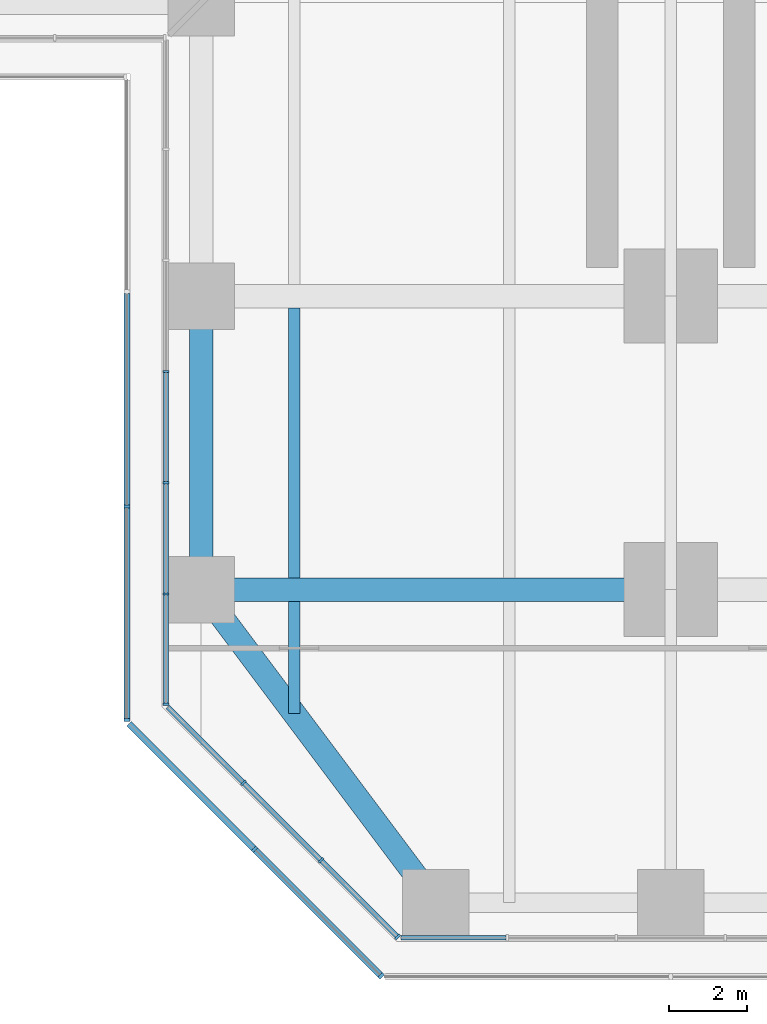
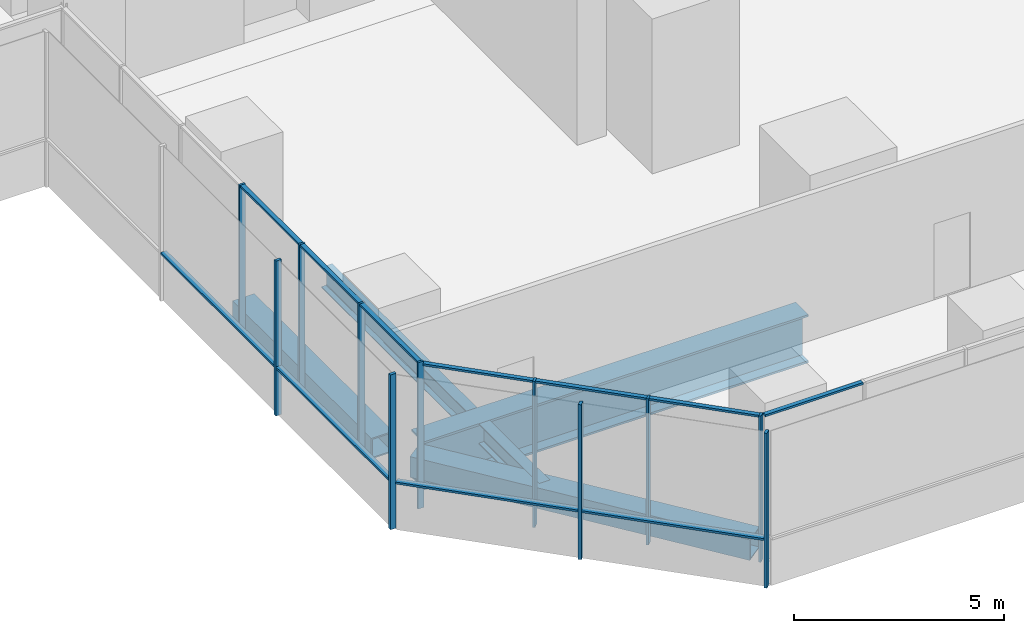
# One storey, part 2 of 21: 22 members, 5 beams, 5 elements without a shape of their own.
"""IFC4 building model written with IfcOpenShell, lengths in metres."""

from ifc_helpers import new_model, si_unit, direction, frame, origin, origin_2d, place, context, subcontext, project, spatial, rectangle, hollow_rectangle, i_section, extrude, material, material_profile, profile_set, type_object, element, aggregate, save


model = new_model("IFC4")

# Units and contexts
model_context = context("Model", 3, precision=1e-05, world=origin(), true_north=direction((0.0, 1.0)))
body_context = subcontext(model_context, "Body", "Model", "MODEL_VIEW")
ifc_project = project(units=[si_unit("LENGTHUNIT", "METRE"), si_unit("AREAUNIT", "SQUARE_METRE"), si_unit("VOLUMEUNIT", "CUBIC_METRE"), si_unit("PLANEANGLEUNIT", "RADIAN"), si_unit("MASSUNIT", "GRAM", prefix="KILO")], contexts=[model_context])

# Site, building, storey
site_placement = place(None, origin())
site = spatial("IfcSite", under=ifc_project, at=site_placement, CompositionType="ELEMENT")
building_placement = place(site_placement, origin())
building = spatial("IfcBuilding", under=site, at=building_placement, Name="Mizan Broadcast Tower", CompositionType="ELEMENT")
storey_placement = place(building_placement, frame((0.0, 0.0, 33.0)))
storey = spatial("IfcBuildingStorey", under=building, at=storey_placement, Name="L05", CompositionType="ELEMENT", Elevation=33.0)

# Beams
ifc_material_1 = material(Name="Steel S355", Category="steel")
ifc_material_profile_1 = material_profile(ifc_material_1, hollow_rectangle(XDim=0.60009765625, YDim=0.60009765625, WallThickness=0.030029296875, at=origin_2d()), Name="BOX 600x600x30")
ifc_profile_set_1 = profile_set([ifc_material_profile_1], Name="Steel S355")
beam_type_1 = type_object("IfcBeamType", Name="EDGE BEAM BOX 600x600x30", PredefinedType="SPANDREL", material=ifc_profile_set_1)
beam_1_placement = place(storey_placement, frame((-11.639892578125, -27.47998046875, -0.550048828125), z_axis=(0.599982243973, -0.800013316712, 0.0), x_axis=(0.800013316712, 0.599982243973, 0.0)))
element("IfcBeam", 1, at=beam_1_placement, inside=storey, type_object=beam_type_1, Name="Edge beam BOX 600x600x30 L05 south arm", PredefinedType="SPANDREL", context=body_context, shape_type="SweptSolid", body=[
    extrude(hollow_rectangle(XDim=0.60009765625, YDim=0.60009765625, WallThickness=0.030029296875, at=origin_2d()), origin(), (0.0, 0.0, 1.0), 8.7998046875),
])
ifc_material_2 = material(Name="Steel S355", Category="steel")
ifc_material_profile_2 = material_profile(ifc_material_2, hollow_rectangle(XDim=0.60009765625, YDim=0.60009765625, WallThickness=0.0400390625, at=origin_2d()), Name="BOX 600x600x40")
ifc_profile_set_2 = profile_set([ifc_material_profile_2], Name="Steel S355")
beam_type_2 = type_object("IfcBeamType", Name="EDGE BEAM BOX 600x600x40", PredefinedType="SPANDREL", material=ifc_profile_set_2)
beam_2_placement = place(storey_placement, frame((-12.0, -19.949951171875, -0.550048828125), z_axis=(0.0, -1.0, 0.0), x_axis=(1.0, 0.0, 0.0)))
element("IfcBeam", 2, at=beam_2_placement, inside=storey, type_object=beam_type_2, Name="Edge beam BOX 600x600x40 L05 south arm", PredefinedType="SPANDREL", context=body_context, shape_type="SweptSolid", body=[
    extrude(hollow_rectangle(XDim=0.60009765625, YDim=0.60009765625, WallThickness=0.0400390625, at=origin_2d()), origin(), (0.0, 0.0, 1.0), 6.60009765625),
])
ifc_material_3 = material(Name="Steel S460", Category="steel")
ifc_material_profile_3 = material_profile(ifc_material_3, i_section(OverallWidth=0.60009765625, OverallDepth=1.39990234375, WebThickness=0.02490234375, FlangeThickness=0.06005859375, at=origin_2d()), Name="WPG 1400x600")
ifc_profile_set_3 = profile_set([ifc_material_profile_3], Name="Steel S460")
beam_type_3 = type_object("IfcBeamType", Name="GIRDER WPG 1400x600", PredefinedType="BEAM", material=ifc_profile_set_3)
beam_3_placement = place(storey_placement, frame((-11.280029296875, -27.0, -0.949951171875), z_axis=(1.0, 0.0, 0.0), x_axis=(0.0, 1.0, 0.0)))
element("IfcBeam", 3, at=beam_3_placement, inside=storey, type_object=beam_type_3, Name="Girder WPG 1400x600 L05 south arm", PredefinedType="BEAM", context=body_context, shape_type="SweptSolid", body=[
    extrude(i_section(OverallWidth=0.60009765625, OverallDepth=1.39990234375, WebThickness=0.02490234375, FlangeThickness=0.06005859375, at=origin_2d()), origin(), (0.0, 0.0, 1.0), 10.56005859375),
])

# Curtain wall, members
ifc_material_4 = material(Name="Aluminium framed glazing", Category="aluminium")
curtain_wall_type_1 = type_object("IfcCurtainWallType", Name="PODIUM CURTAIN WALL", PredefinedType="USERDEFINED", material=ifc_material_4)
curtain_wall_1_placement = place(storey_placement, origin())
curtain_wall_1 = element("IfcCurtainWall", 4, at=curtain_wall_1_placement, inside=storey, type_object=curtain_wall_type_1, Name="Podium curtain wall L05 S side", ObjectType="PODIUM CURTAIN WALL", PredefinedType="USERDEFINED")
ifc_material_5 = material(Name="Aluminium, pale anodised", Category="aluminium")
ifc_material_profile_4 = material_profile(ifc_material_5, rectangle(XDim=0.159912109375, YDim=0.06005859375, at=origin_2d()), Name="MULLION 160x60")
ifc_profile_set_4 = profile_set([ifc_material_profile_4], Name="Aluminium, pale anodised")
member_type_1 = type_object("IfcMemberType", Name="INNER SKIN MULLION 60x160", PredefinedType="MULLION", material=ifc_profile_set_4)
member_1_placement = place(storey_placement, frame((-12.89990234375, -21.42919921875, 0.0), z_axis=(0.0, 0.0, 1.0), x_axis=(1.0, 0.0, 0.0)))
member_1 = element("IfcMember", 5, at=member_1_placement, type_object=member_type_1, Name="Podium curtain wall L05 S side mullion 4", PredefinedType="MULLION", context=body_context, shape_type="SweptSolid", body=[
    extrude(rectangle(XDim=0.159912109375, YDim=0.06005859375, at=origin_2d()), origin(), (0.0, 0.0, 1.0), 4.25),
])
member_2_placement = place(storey_placement, frame((-12.89990234375, -24.2724609375, 0.0), z_axis=(0.0, 0.0, 1.0), x_axis=(1.0, 0.0, 0.0)))
member_2 = element("IfcMember", 6, at=member_2_placement, type_object=member_type_1, Name="Podium curtain wall L05 S side mullion 5", PredefinedType="MULLION", context=body_context, shape_type="SweptSolid", body=[
    extrude(rectangle(XDim=0.159912109375, YDim=0.06005859375, at=origin_2d()), origin(), (0.0, 0.0, 1.0), 4.25),
])
member_3_placement = place(storey_placement, frame((-12.89990234375, -27.115478515625, 0.0), z_axis=(0.0, 0.0, 1.0), x_axis=(1.0, 0.0, 0.0)))
member_3 = element("IfcMember", 7, at=member_3_placement, type_object=member_type_1, Name="Podium curtain wall L05 S side mullion 6", PredefinedType="MULLION", context=body_context, shape_type="SweptSolid", body=[
    extrude(rectangle(XDim=0.159912109375, YDim=0.06005859375, at=origin_2d()), origin(), (0.0, 0.0, 1.0), 4.25),
])
member_4_placement = place(storey_placement, frame((-12.89990234375, -29.928466796875, 0.0), z_axis=(0.0, 0.0, 1.0), x_axis=(1.0, 0.0, 0.0)))
member_4 = element("IfcMember", 8, at=member_4_placement, type_object=member_type_1, Name="Podium curtain wall L05 S side mullion 7", PredefinedType="MULLION", context=body_context, shape_type="SweptSolid", body=[
    extrude(rectangle(XDim=0.159912109375, YDim=0.06005859375, at=origin_2d()), origin(), (0.0, 0.0, 1.0), 4.25),
])

curtain_wall_2_placement = place(storey_placement, origin())
curtain_wall_2 = element("IfcCurtainWall", 9, at=curtain_wall_2_placement, inside=storey, type_object=curtain_wall_type_1, Name="Podium curtain wall L05 S chamfer", ObjectType="PODIUM CURTAIN WALL", PredefinedType="USERDEFINED")
member_5_placement = place(storey_placement, frame((-10.91943359375, -31.93896484375, 0.0), z_axis=(0.0, 0.0, 1.0), x_axis=(0.707106781187, 0.707106781187, 0.0)))
member_5 = element("IfcMember", 10, at=member_5_placement, type_object=member_type_1, Name="Podium curtain wall L05 S chamfer mullion 2", PredefinedType="MULLION", context=body_context, shape_type="SweptSolid", body=[
    extrude(rectangle(XDim=0.159912109375, YDim=0.06005859375, at=origin_2d()), origin(), (0.0, 0.0, 1.0), 4.25),
])
member_6_placement = place(storey_placement, frame((-8.93896484375, -33.91943359375, 0.0), z_axis=(0.0, 0.0, 1.0), x_axis=(0.707106781187, 0.707106781187, 0.0)))
member_6 = element("IfcMember", 11, at=member_6_placement, type_object=member_type_1, Name="Podium curtain wall L05 S chamfer mullion 3", PredefinedType="MULLION", context=body_context, shape_type="SweptSolid", body=[
    extrude(rectangle(XDim=0.159912109375, YDim=0.06005859375, at=origin_2d()), origin(), (0.0, 0.0, 1.0), 4.25),
])
member_7_placement = place(storey_placement, frame((-6.979736328125, -35.87890625, 0.0), z_axis=(0.0, 0.0, 1.0), x_axis=(0.707106781187, 0.707106781187, 0.0)))
member_7 = element("IfcMember", 12, at=member_7_placement, type_object=member_type_1, Name="Podium curtain wall L05 S chamfer mullion 4", PredefinedType="MULLION", context=body_context, shape_type="SweptSolid", body=[
    extrude(rectangle(XDim=0.159912109375, YDim=0.06005859375, at=origin_2d()), origin(), (0.0, 0.0, 1.0), 4.25),
])

# Member
ifc_material_6 = material(Name="Aluminium, pale anodised", Category="aluminium")
ifc_material_profile_5 = material_profile(ifc_material_6, rectangle(XDim=0.1201171875, YDim=0.06005859375, at=origin_2d()), Name="TRANSOM 120x60")
ifc_profile_set_5 = profile_set([ifc_material_profile_5], Name="Aluminium, pale anodised")
member_type_2 = type_object("IfcMemberType", Name="INNER SKIN TRANSOM 60x120", PredefinedType="USERDEFINED", material=ifc_profile_set_5)
member_8_placement = place(storey_placement, frame((-12.89990234375, -21.459228515625, 4.219970703125), z_axis=(0.0, -1.0, 0.0), x_axis=(1.0, 0.0, 0.0)))
member_8 = element("IfcMember", 13, at=member_8_placement, type_object=member_type_2, Name="Podium curtain wall L05 S side transom 4.1", ObjectType="TRANSOM", PredefinedType="USERDEFINED", context=body_context, shape_type="SweptSolid", body=[
    extrude(rectangle(XDim=0.1201171875, YDim=0.06005859375, at=origin_2d()), origin(), (0.0, 0.0, 1.0), 2.783203125),
])

member_9_placement = place(storey_placement, frame((-12.89990234375, -24.302490234375, 4.219970703125), z_axis=(0.0, -1.0, 0.0), x_axis=(1.0, 0.0, 0.0)))
member_9 = element("IfcMember", 14, at=member_9_placement, type_object=member_type_2, Name="Podium curtain wall L05 S side transom 5.1", ObjectType="TRANSOM", PredefinedType="USERDEFINED", context=body_context, shape_type="SweptSolid", body=[
    extrude(rectangle(XDim=0.1201171875, YDim=0.06005859375, at=origin_2d()), origin(), (0.0, 0.0, 1.0), 2.782958984375),
])

member_10_placement = place(storey_placement, frame((-12.89990234375, -27.1455078125, 4.219970703125), z_axis=(0.0, -1.0, 0.0), x_axis=(1.0, 0.0, 0.0)))
member_10 = element("IfcMember", 15, at=member_10_placement, type_object=member_type_2, Name="Podium curtain wall L05 S side transom 6.1", ObjectType="TRANSOM", PredefinedType="USERDEFINED", context=body_context, shape_type="SweptSolid", body=[
    extrude(rectangle(XDim=0.1201171875, YDim=0.06005859375, at=origin_2d()), origin(), (0.0, 0.0, 1.0), 2.753173828125),
])

aggregate(curtain_wall_1, [member_1, member_2, member_3, member_4, member_8, member_9, member_10])

member_11_placement = place(storey_placement, frame((-12.857666015625, -30.0009765625, 4.219970703125), z_axis=(0.707151809797, -0.707061749709, 0.0), x_axis=(0.707061749709, 0.707151809797, 0.0)))
member_11 = element("IfcMember", 16, at=member_11_placement, type_object=member_type_2, Name="Podium curtain wall L05 S chamfer transom 1.1", ObjectType="TRANSOM", PredefinedType="USERDEFINED", context=body_context, shape_type="SweptSolid", body=[
    extrude(rectangle(XDim=0.1201171875, YDim=0.06005859375, at=origin_2d()), origin(), (0.0, 0.0, 1.0), 2.7109375),
])

member_12_placement = place(storey_placement, frame((-10.898193359375, -31.960205078125, 4.219970703125), z_axis=(0.707106781187, -0.707106781187, 0.0), x_axis=(0.707106781187, 0.707106781187, 0.0)))
member_12 = element("IfcMember", 17, at=member_12_placement, type_object=member_type_2, Name="Podium curtain wall L05 S chamfer transom 2.1", ObjectType="TRANSOM", PredefinedType="USERDEFINED", context=body_context, shape_type="SweptSolid", body=[
    extrude(rectangle(XDim=0.1201171875, YDim=0.06005859375, at=origin_2d()), origin(), (0.0, 0.0, 1.0), 2.74072265625),
])

member_13_placement = place(storey_placement, frame((-8.917724609375, -33.940673828125, 4.219970703125), z_axis=(0.707061749709, -0.707151809797, 0.0), x_axis=(0.707151809797, 0.707061749709, 0.0)))
member_13 = element("IfcMember", 18, at=member_13_placement, type_object=member_type_2, Name="Podium curtain wall L05 S chamfer transom 3.1", ObjectType="TRANSOM", PredefinedType="USERDEFINED", context=body_context, shape_type="SweptSolid", body=[
    extrude(rectangle(XDim=0.1201171875, YDim=0.06005859375, at=origin_2d()), origin(), (0.0, 0.0, 1.0), 2.7109375),
])

aggregate(curtain_wall_2, [member_5, member_6, member_7, member_11, member_12, member_13])

# Curtain wall, member
curtain_wall_3_placement = place(storey_placement, origin())
curtain_wall_3 = element("IfcCurtainWall", 19, at=curtain_wall_3_placement, inside=storey, type_object=curtain_wall_type_1, Name="Podium curtain wall L05 S end", ObjectType="PODIUM CURTAIN WALL", PredefinedType="USERDEFINED")
member_14_placement = place(storey_placement, frame((-6.898681640625, -35.89990234375, 4.219970703125), z_axis=(1.0, 0.0, 0.0), x_axis=(0.0, 1.0, 0.0)))
member_14 = element("IfcMember", 20, at=member_14_placement, type_object=member_type_2, Name="Podium curtain wall L05 S end transom 1.1", ObjectType="TRANSOM", PredefinedType="USERDEFINED", context=body_context, shape_type="SweptSolid", body=[
    extrude(rectangle(XDim=0.1201171875, YDim=0.06005859375, at=origin_2d()), origin(), (0.0, 0.0, 1.0), 2.693603515625),
])
aggregate(curtain_wall_3, [member_14])

# Curtain wall, members
ifc_material_7 = material(Name="Aluminium framed glazing", Category="aluminium")
curtain_wall_type_2 = type_object("IfcCurtainWallType", Name="OUTER SKIN", PredefinedType="USERDEFINED", material=ifc_material_7)
curtain_wall_4_placement = place(storey_placement, origin())
curtain_wall_4 = element("IfcCurtainWall", 21, at=curtain_wall_4_placement, inside=storey, type_object=curtain_wall_type_2, Name="Outer skin L05 S side", ObjectType="OUTER SKIN", PredefinedType="USERDEFINED")
ifc_material_8 = material(Name="Aluminium, pale anodised", Category="aluminium")
ifc_material_profile_6 = material_profile(ifc_material_8, rectangle(XDim=0.159912109375, YDim=0.080078125, at=origin_2d()), Name="MULLION 160x80")
ifc_profile_set_6 = profile_set([ifc_material_profile_6], Name="Aluminium, pale anodised")
member_type_3 = type_object("IfcMemberType", Name="OUTER SKIN MULLION 80x160", PredefinedType="MULLION", material=ifc_profile_set_6)
member_15_placement = place(storey_placement, frame((-13.89990234375, -24.8818359375, 0.0), z_axis=(0.0, 0.0, 1.0), x_axis=(1.0, 0.0, 0.0)))
member_15 = element("IfcMember", 22, at=member_15_placement, type_object=member_type_3, Name="Outer skin L05 S side mullion 3", PredefinedType="MULLION", context=body_context, shape_type="SweptSolid", body=[
    extrude(rectangle(XDim=0.159912109375, YDim=0.080078125, at=origin_2d()), origin(), (0.0, 0.0, 1.0), 4.5),
])
member_16_placement = place(storey_placement, frame((-13.89990234375, -30.332763671875, 0.0), z_axis=(0.0, 0.0, 1.0), x_axis=(1.0, 0.0, 0.0)))
member_16 = element("IfcMember", 23, at=member_16_placement, type_object=member_type_3, Name="Outer skin L05 S side mullion 4", PredefinedType="MULLION", context=body_context, shape_type="SweptSolid", body=[
    extrude(rectangle(XDim=0.159912109375, YDim=0.080078125, at=origin_2d()), origin(), (0.0, 0.0, 1.0), 4.5),
])

curtain_wall_5_placement = place(storey_placement, origin())
curtain_wall_5 = element("IfcCurtainWall", 24, at=curtain_wall_5_placement, inside=storey, type_object=curtain_wall_type_2, Name="Outer skin L05 S chamfer", ObjectType="OUTER SKIN", PredefinedType="USERDEFINED")
member_17_placement = place(storey_placement, frame((-10.636474609375, -33.636474609375, 0.0), z_axis=(0.0, 0.0, 1.0), x_axis=(0.707106781187, 0.707106781187, 0.0)))
member_17 = element("IfcMember", 25, at=member_17_placement, type_object=member_type_3, Name="Outer skin L05 S chamfer mullion 2", PredefinedType="MULLION", context=body_context, shape_type="SweptSolid", body=[
    extrude(rectangle(XDim=0.159912109375, YDim=0.080078125, at=origin_2d()), origin(), (0.0, 0.0, 1.0), 4.5),
])
member_18_placement = place(storey_placement, frame((-7.401123046875, -36.871826171875, 0.0), z_axis=(0.0, 0.0, 1.0), x_axis=(0.707106781187, 0.707106781187, 0.0)))
member_18 = element("IfcMember", 26, at=member_18_placement, type_object=member_type_3, Name="Outer skin L05 S chamfer mullion 3", PredefinedType="MULLION", context=body_context, shape_type="SweptSolid", body=[
    extrude(rectangle(XDim=0.159912109375, YDim=0.080078125, at=origin_2d()), origin(), (0.0, 0.0, 1.0), 4.5),
])

# Member
ifc_material_9 = material(Name="Aluminium, pale anodised", Category="aluminium")
ifc_material_profile_7 = material_profile(ifc_material_9, rectangle(XDim=0.159912109375, YDim=0.06005859375, at=origin_2d()), Name="TRANSOM 160x60")
ifc_profile_set_7 = profile_set([ifc_material_profile_7], Name="Aluminium, pale anodised")
member_type_4 = type_object("IfcMemberType", Name="OUTER SKIN TRANSOM 60x160", PredefinedType="USERDEFINED", material=ifc_profile_set_7)
member_19_placement = place(storey_placement, frame((-13.89990234375, -19.430908203125, 1.39990234375), z_axis=(0.0, -1.0, 0.0), x_axis=(1.0, 0.0, 0.0)))
member_19 = element("IfcMember", 27, at=member_19_placement, type_object=member_type_4, Name="Outer skin L05 S side transom 2.1", ObjectType="TRANSOM", PredefinedType="USERDEFINED", context=body_context, shape_type="SweptSolid", body=[
    extrude(rectangle(XDim=0.159912109375, YDim=0.06005859375, at=origin_2d()), origin(), (0.0, 0.0, 1.0), 5.410888671875),
])

member_20_placement = place(storey_placement, frame((-13.89990234375, -24.921875, 1.39990234375), z_axis=(0.0, -1.0, 0.0), x_axis=(1.0, 0.0, 0.0)))
member_20 = element("IfcMember", 28, at=member_20_placement, type_object=member_type_4, Name="Outer skin L05 S side transom 3.1", ObjectType="TRANSOM", PredefinedType="USERDEFINED", context=body_context, shape_type="SweptSolid", body=[
    extrude(rectangle(XDim=0.159912109375, YDim=0.06005859375, at=origin_2d()), origin(), (0.0, 0.0, 1.0), 5.370849609375),
])

aggregate(curtain_wall_4, [member_15, member_16, member_19, member_20])

member_21_placement = place(storey_placement, frame((-13.843505859375, -30.429443359375, 1.39990234375), z_axis=(0.707106781187, -0.707106781187, 0.0), x_axis=(0.707106781187, 0.707106781187, 0.0)))
member_21 = element("IfcMember", 29, at=member_21_placement, type_object=member_type_4, Name="Outer skin L05 S chamfer transom 1.1", ObjectType="TRANSOM", PredefinedType="USERDEFINED", context=body_context, shape_type="SweptSolid", body=[
    extrude(rectangle(XDim=0.159912109375, YDim=0.06005859375, at=origin_2d()), origin(), (0.0, 0.0, 1.0), 4.495361328125),
])

member_22_placement = place(storey_placement, frame((-10.608154296875, -33.664794921875, 1.39990234375), z_axis=(0.707106781187, -0.707106781187, 0.0), x_axis=(0.707106781187, 0.707106781187, 0.0)))
member_22 = element("IfcMember", 30, at=member_22_placement, type_object=member_type_4, Name="Outer skin L05 S chamfer transom 2.1", ObjectType="TRANSOM", PredefinedType="USERDEFINED", context=body_context, shape_type="SweptSolid", body=[
    extrude(rectangle(XDim=0.159912109375, YDim=0.06005859375, at=origin_2d()), origin(), (0.0, 0.0, 1.0), 4.495361328125),
])

aggregate(curtain_wall_5, [member_17, member_18, member_21, member_22])

# Beams
ifc_material_10 = material(Name="Steel S355", Category="steel")
ifc_material_profile_8 = material_profile(ifc_material_10, i_section(OverallWidth=0.300048828125, OverallDepth=0.590087890625, WebThickness=0.012939453125, FlangeThickness=0.02490234375, FilletRadius=0.027099609375, at=origin_2d()), Name="HEA 600")
ifc_profile_set_8 = profile_set([ifc_material_profile_8], Name="Steel S355")
beam_type_4 = type_object("IfcBeamType", Name="SECONDARY BEAM HEA 600", PredefinedType="JOIST", material=ifc_profile_set_8)
beam_4_placement = place(storey_placement, frame((-9.625, -19.800048828125, -0.544921875), z_axis=(0.0, -1.0, 0.0), x_axis=(1.0, 0.0, 0.0)))
element("IfcBeam", 31, at=beam_4_placement, inside=storey, type_object=beam_type_4, Name="Secondary beam HEA 600 L05 south arm", PredefinedType="JOIST", context=body_context, shape_type="SweptSolid", body=[
    extrude(i_section(OverallWidth=0.300048828125, OverallDepth=0.590087890625, WebThickness=0.012939453125, FlangeThickness=0.02490234375, FilletRadius=0.027099609375, at=origin_2d()), origin(), (0.0, 0.0, 1.0), 6.89990234375),
])
beam_5_placement = place(storey_placement, frame((-9.625, -27.300048828125, -0.544921875), z_axis=(0.0, -1.0, 0.0), x_axis=(1.0, 0.0, 0.0)))
element("IfcBeam", 32, at=beam_5_placement, inside=storey, type_object=beam_type_4, Name="Secondary beam HEA 600 L05 south arm", PredefinedType="JOIST", context=body_context, shape_type="SweptSolid", body=[
    extrude(i_section(OverallWidth=0.300048828125, OverallDepth=0.590087890625, WebThickness=0.012939453125, FlangeThickness=0.02490234375, FilletRadius=0.027099609375, at=origin_2d()), origin(), (0.0, 0.0, 1.0), 2.86669921875),
])

save(model, "model.ifc")
